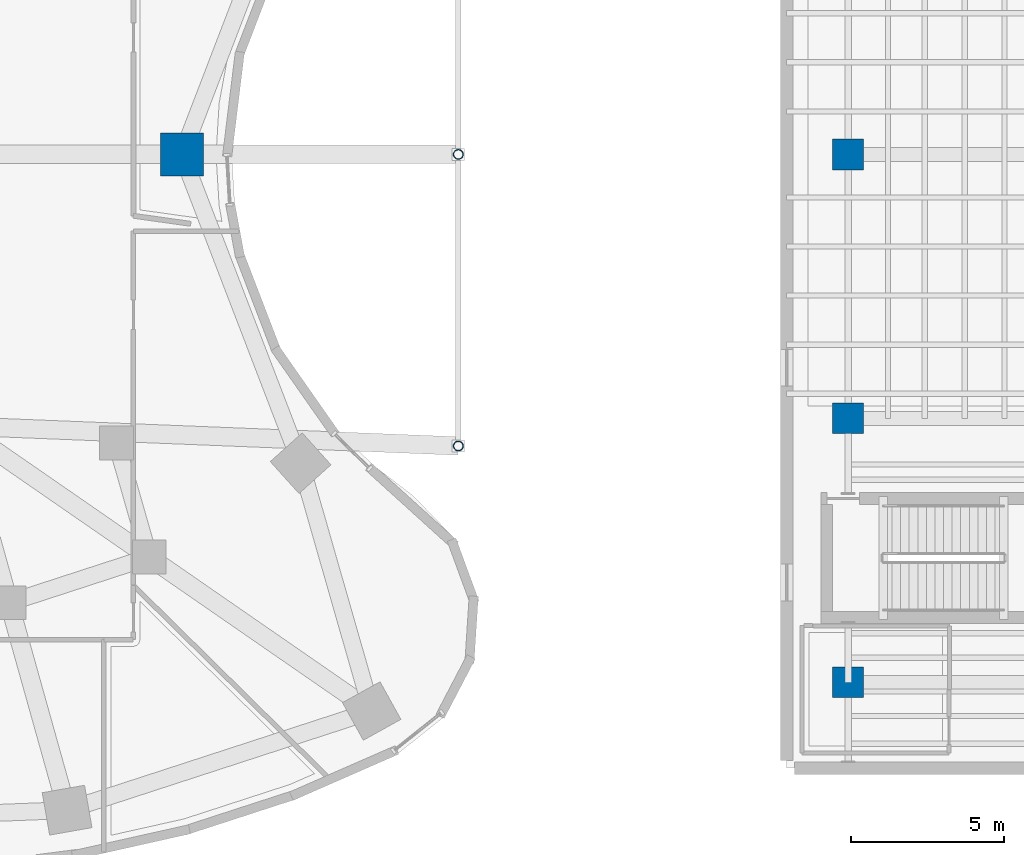
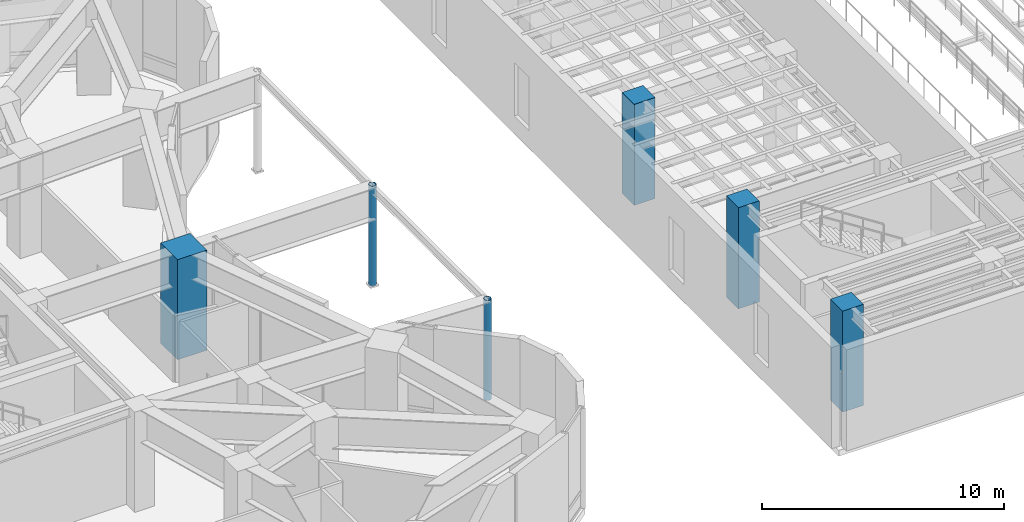
# One storey, part 2 of 23: 6 columns.
"""IFC4 building model written with IfcOpenShell, lengths in metres."""

from ifc_helpers import new_model, si_unit, direction, frame, origin, origin_2d, place, context, subcontext, project, spatial, rectangle, hollow_circle, extrude, material, material_profile, profile_set, type_object, element, save


model = new_model("IFC4")

# Units and contexts
model_context = context("Model", 3, precision=1e-05, world=origin(), true_north=direction((0.0, 1.0)))
body_context = subcontext(model_context, "Body", "Model", "MODEL_VIEW")
ifc_project = project(units=[si_unit("LENGTHUNIT", "METRE"), si_unit("AREAUNIT", "SQUARE_METRE"), si_unit("VOLUMEUNIT", "CUBIC_METRE"), si_unit("PLANEANGLEUNIT", "RADIAN"), si_unit("MASSUNIT", "GRAM", prefix="KILO")], contexts=[model_context])

# Site, building, storey
site_placement = place(None, origin())
site = spatial("IfcSite", under=ifc_project, at=site_placement, CompositionType="ELEMENT")
building_placement = place(site_placement, origin())
building = spatial("IfcBuilding", under=site, at=building_placement, Name="Korentha Bioscience Tower", CompositionType="ELEMENT")
storey_placement = place(building_placement, frame((0.0, 0.0, 15.0)))
storey = spatial("IfcBuildingStorey", under=building, at=storey_placement, Name="L03", CompositionType="ELEMENT", Elevation=15.0)

# Columns
ifc_material_1 = material(Name="Steel S355", Category="steel")
ifc_material_profile_1 = material_profile(ifc_material_1, hollow_circle(Radius=0.161865234375, WallThickness=0.01611328125, at=origin_2d()), Name="Steel S355")
ifc_profile_set_1 = profile_set([ifc_material_profile_1], Name="Steel S355 (AC-01)")
column_type_1 = type_object("IfcColumnType", Name="Arcade Portal Column CHS 323.9x16", PredefinedType="COLUMN", material=ifc_profile_set_1)
for number, where, z_axis, x_axis, name in (
    (1, (53.800048828125, 17.5, 0.0), (0.0, 0.0, 1.0), (1.0, 0.0, 0.0), "L03 Terrace Support Column 1"),
    (2, (53.800048828125, 27.0, 0.0), (0.0, 0.0, 1.0), (1.0, 0.0, 0.0), "L03 Terrace Support Column 2"),
):
    element("IfcColumn", number, at=place(storey_placement, frame(where, z_axis=z_axis, x_axis=x_axis)), inside=storey, type_object=column_type_1, Name=name, PredefinedType="COLUMN", context=body_context, shape_type="SweptSolid", body=[
        extrude(hollow_circle(Radius=0.161865234375, WallThickness=0.01611328125, at=origin_2d()), origin(), (0.0, 0.0, 1.0), 5.050537109375),
    ])
ifc_material_2 = material(Name="Concrete C80", Category="concrete")
ifc_material_profile_2 = material_profile(ifc_material_2, rectangle(XDim=1.39990234375, YDim=1.39990234375, at=origin_2d()), Name="Concrete C80")
ifc_profile_set_2 = profile_set([ifc_material_profile_2], Name="Concrete C80 (COL-P14)")
column_type_2 = type_object("IfcColumnType", Name="Perimeter Column RC 1400x1400", PredefinedType="COLUMN", material=ifc_profile_set_2)
column_placement = place(storey_placement, frame((44.798583984375, 27.0, -0.00048828125), z_axis=(0.0, 0.0, 1.0), x_axis=(0.0, 1.0, 0.0)))
element("IfcColumn", 3, at=column_placement, inside=storey, type_object=column_type_2, Name="L03 Perimeter Column 15", PredefinedType="COLUMN", context=body_context, shape_type="SweptSolid", body=[
    extrude(rectangle(XDim=1.39990234375, YDim=1.39990234375, at=origin_2d()), origin(), (0.0, 0.0, 1.0), 5.051025390625),
])
ifc_material_3 = material(Name="Concrete C50", Category="concrete")
ifc_material_profile_3 = material_profile(ifc_material_3, rectangle(XDim=1.0, YDim=1.0, at=origin_2d()), Name="Concrete C50")
ifc_profile_set_3 = profile_set([ifc_material_profile_3], Name="Concrete C50 (TC-01)")
column_type_3 = type_object("IfcColumnType", Name="Theatre Primary Column RC 1000x1000", PredefinedType="COLUMN", material=ifc_profile_set_3)
for number, where, z_axis, x_axis, name in (
    (4, (66.5, 9.800048828125, 0.0), (0.0, 0.0, 1.0), (1.0, 0.0, 0.0), "L03 Theatre Column 1-1"),
    (5, (66.5, 18.39990234375, 0.0), (0.0, 0.0, 1.0), (1.0, 0.0, 0.0), "L03 Theatre Column 1-2"),
    (6, (66.5, 27.0, 0.0), (0.0, 0.0, 1.0), (1.0, 0.0, 0.0), "L03 Theatre Column 1-3"),
):
    element("IfcColumn", number, at=place(storey_placement, frame(where, z_axis=z_axis, x_axis=x_axis)), inside=storey, type_object=column_type_3, Name=name, PredefinedType="COLUMN", context=body_context, shape_type="SweptSolid", body=[
        extrude(rectangle(XDim=1.0, YDim=1.0, at=origin_2d()), origin(), (0.0, 0.0, 1.0), 5.10009765625),
    ])

save(model, "model.ifc")
